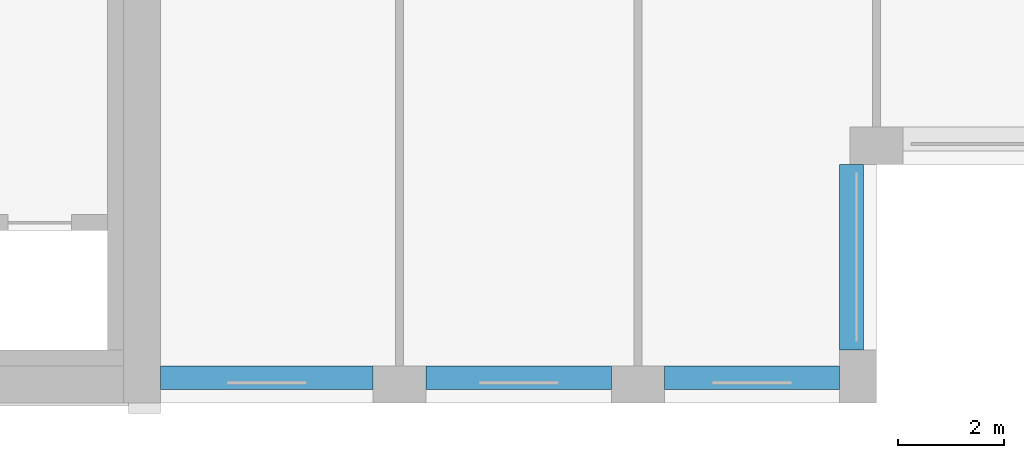
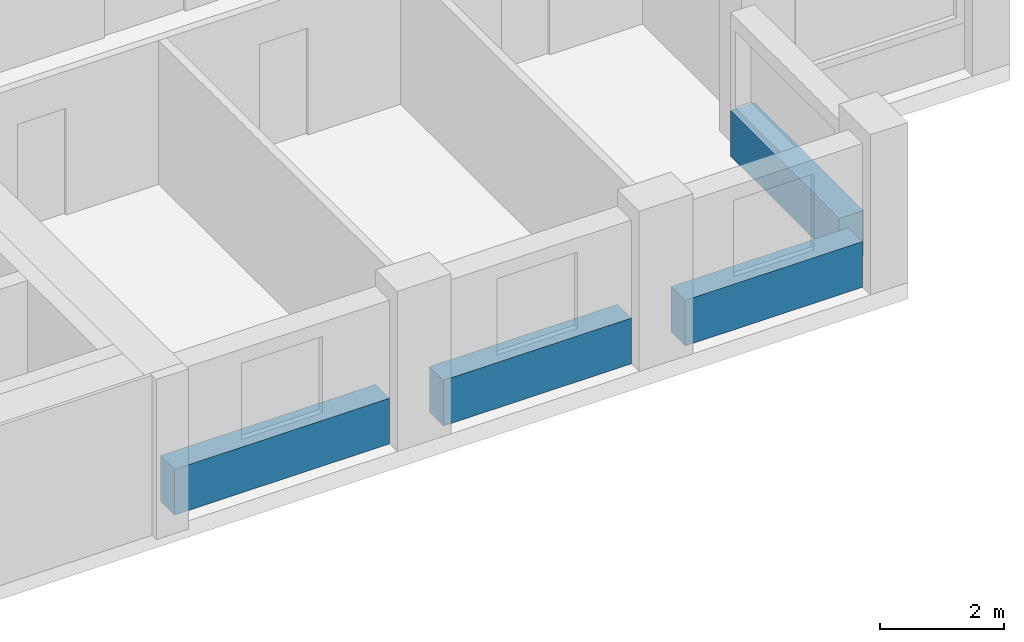
# One storey, part 3 of 15: 4 beams.
"""IFC4 building model written with IfcOpenShell, lengths in metres."""

from ifc_helpers import new_model, si_unit, direction, frame, origin, origin_2d, place, context, subcontext, project, spatial, rectangle, extrude, material, material_profile, profile_set, type_object, element, save


model = new_model("IFC4")

# Units and contexts
model_context = context("Model", 3, precision=1e-05, world=origin(), true_north=direction((0.0, 1.0)))
body_context = subcontext(model_context, "Body", "Model", "MODEL_VIEW")
ifc_project = project(units=[si_unit("LENGTHUNIT", "METRE"), si_unit("AREAUNIT", "SQUARE_METRE"), si_unit("VOLUMEUNIT", "CUBIC_METRE"), si_unit("PLANEANGLEUNIT", "RADIAN"), si_unit("MASSUNIT", "GRAM", prefix="KILO")], contexts=[model_context])

# Site, building, storey
site_placement = place(None, origin())
site = spatial("IfcSite", under=ifc_project, at=site_placement, CompositionType="ELEMENT")
building_placement = place(site_placement, origin())
building = spatial("IfcBuilding", under=site, at=building_placement, Name="Brigalow Station Residences", CompositionType="ELEMENT")
storey_placement = place(building_placement, frame((0.0, 0.0, 157.050048828125)))
storey = spatial("IfcBuildingStorey", under=building, at=storey_placement, Name="L45", CompositionType="ELEMENT", Elevation=157.050048828125)

# Beams
ifc_material = material(Name="Concrete C50", Category="concrete")
ifc_material_profile = material_profile(ifc_material, rectangle(XDim=0.449951171875, YDim=0.89990234375, at=origin_2d()), Name="RC450x900")
ifc_profile_set = profile_set([ifc_material_profile], Name="Concrete C50")
beam_type = type_object("IfcBeamType", Name="SPANDREL BEAM 450x900 C50", PredefinedType="SPANDREL", material=ifc_profile_set)
beam_1_placement = place(storey_placement, frame((54.0, 0.47509765625, 0.449951171875), z_axis=(1.0, 0.0, 0.0), x_axis=(0.0, 1.0, 0.0)))
element("IfcBeam", 1, at=beam_1_placement, inside=storey, type_object=beam_type, Name="L45/spandrel/W-L45-4", PredefinedType="SPANDREL", context=body_context, shape_type="SweptSolid", body=[
    extrude(rectangle(XDim=0.449951171875, YDim=0.89990234375, at=origin_2d()), origin(), (0.0, 0.0, 1.0), 4.0),
])
beam_2_placement = place(storey_placement, frame((59.0, 0.47509765625, 0.449951171875), z_axis=(1.0, 0.0, 0.0), x_axis=(0.0, 1.0, 0.0)))
element("IfcBeam", 2, at=beam_2_placement, inside=storey, type_object=beam_type, Name="L45/spandrel/W-L45-5", PredefinedType="SPANDREL", context=body_context, shape_type="SweptSolid", body=[
    extrude(rectangle(XDim=0.449951171875, YDim=0.89990234375, at=origin_2d()), origin(), (0.0, 0.0, 1.0), 3.5),
])
beam_3_placement = place(storey_placement, frame((63.5, 0.47509765625, 0.449951171875), z_axis=(1.0, 0.0, 0.0), x_axis=(0.0, 1.0, 0.0)))
element("IfcBeam", 3, at=beam_3_placement, inside=storey, type_object=beam_type, Name="L45/spandrel/W-L45-6", PredefinedType="SPANDREL", context=body_context, shape_type="SweptSolid", body=[
    extrude(rectangle(XDim=0.449951171875, YDim=0.89990234375, at=origin_2d()), origin(), (0.0, 0.0, 1.0), 3.300048828125),
])
beam_4_placement = place(storey_placement, frame((67.02490234375, 1.0, 0.449951171875), z_axis=(0.0, 1.0, 0.0), x_axis=(-1.0, 0.0, 0.0)))
element("IfcBeam", 4, at=beam_4_placement, inside=storey, type_object=beam_type, Name="L45/spandrel/W-L45-7", PredefinedType="SPANDREL", context=body_context, shape_type="SweptSolid", body=[
    extrude(rectangle(XDim=0.449951171875, YDim=0.89990234375, at=origin_2d()), origin(), (0.0, 0.0, 1.0), 3.5),
])

save(model, "model.ifc")
